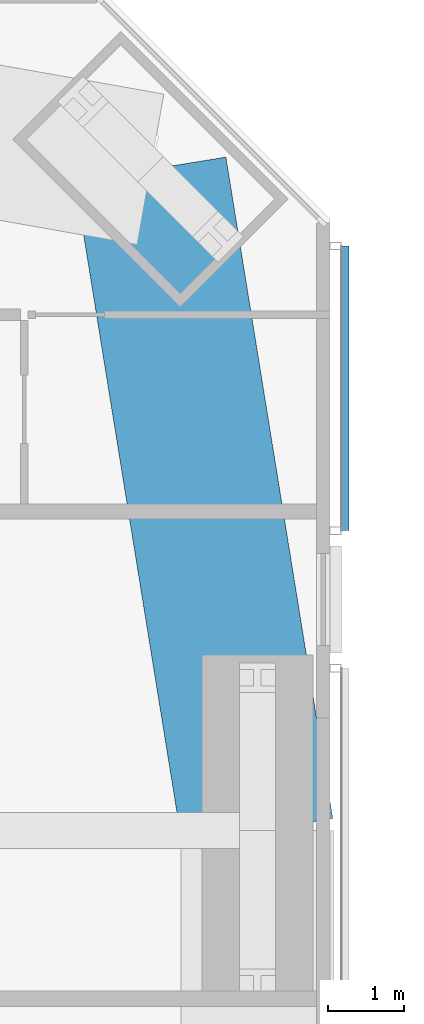
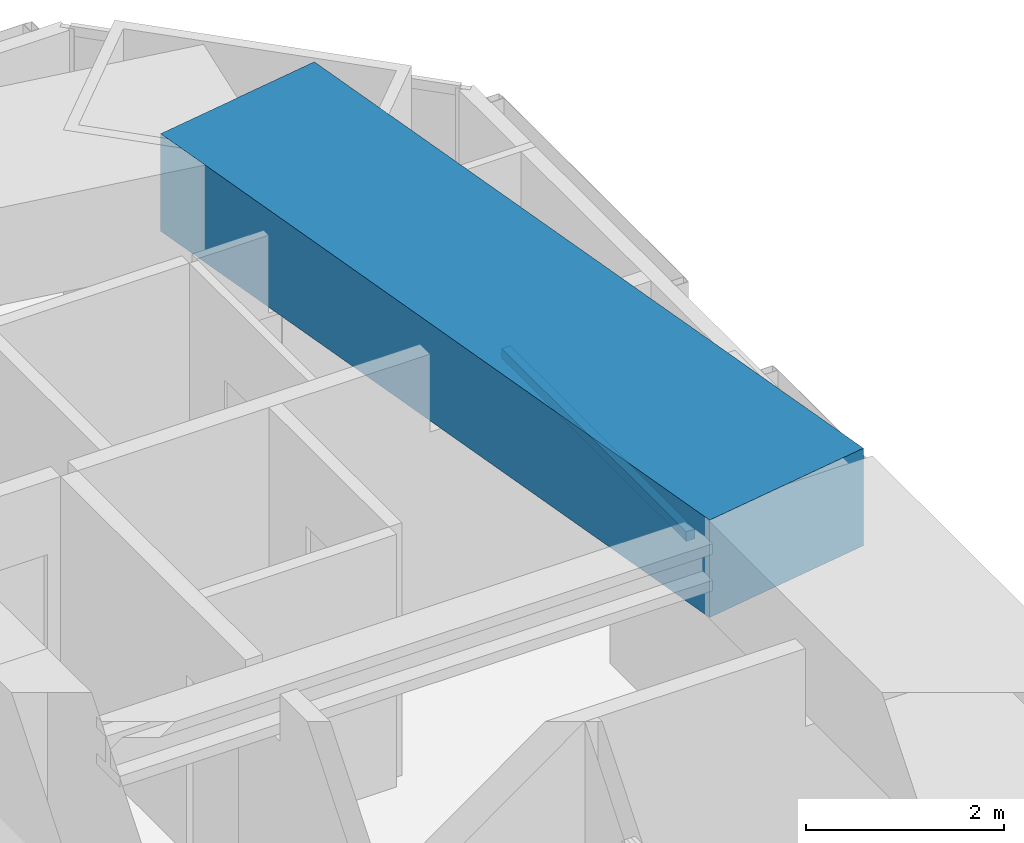
# One storey, part 9 of 22: 1 beam, 1 member, 1 element without a shape of its own.
"""IFC4 building model written with IfcOpenShell, lengths in metres."""

from ifc_helpers import new_model, si_unit, direction, frame, origin, origin_2d, place, context, subcontext, project, spatial, rectangle, extrude, material, material_profile, profile_set, type_object, element, aggregate, save


model = new_model("IFC4")

# Units and contexts
model_context = context("Model", 3, precision=1e-05, world=origin(), true_north=direction((0.0, 1.0)))
body_context = subcontext(model_context, "Body", "Model", "MODEL_VIEW")
ifc_project = project(units=[si_unit("LENGTHUNIT", "METRE"), si_unit("AREAUNIT", "SQUARE_METRE"), si_unit("VOLUMEUNIT", "CUBIC_METRE"), si_unit("PLANEANGLEUNIT", "RADIAN"), si_unit("MASSUNIT", "GRAM", prefix="KILO")], contexts=[model_context])

# Site, building, storey
site_placement = place(None, origin())
site = spatial("IfcSite", under=ifc_project, at=site_placement, CompositionType="ELEMENT")
building_placement = place(site_placement, origin())
building = spatial("IfcBuilding", under=site, at=building_placement, Name="Jalousie Tower", CompositionType="ELEMENT")
storey_placement = place(building_placement, frame((0.0, 0.0, 154.35009765625)))
storey = spatial("IfcBuildingStorey", under=building, at=storey_placement, Name="L41", CompositionType="ELEMENT", Elevation=154.35009765625)

# Beam
ifc_material_1 = material(Name="Concrete f'c 40 MPa", Category="concrete")
ifc_material_profile_1 = material_profile(ifc_material_1, rectangle(XDim=2.0, YDim=1.199951171875, at=origin_2d()), Name="RC 2000x1200")
ifc_profile_set_1 = profile_set([ifc_material_profile_1], Name="Concrete f'c 40 MPa")
beam_type = type_object("IfcBeamType", Name="RC BEAM 2000x1200", PredefinedType="BEAM", material=ifc_profile_set_1)
beam_placement = place(storey_placement, frame((52.050048828125, 25.0, 2.75), z_axis=(-0.159567878256, 0.987186959106, 0.0), x_axis=(-0.987186959106, -0.159567878256, 0.0)))
element("IfcBeam", 1, at=beam_placement, inside=storey, type_object=beam_type, Name="Edge band beam 07-08 under L42", PredefinedType="BEAM", context=body_context, shape_type="SweptSolid", body=[
    extrude(rectangle(XDim=2.0, YDim=1.199951171875, at=origin_2d()), origin(), (0.0, 0.0, 1.0), 8.763916015625),
])

# Curtain wall, member
ifc_material_2 = material(Name="Perforated aluminium sheet", Category="aluminium")
curtain_wall_type = type_object("IfcCurtainWallType", Name="SOLAR SCREEN SS-1", PredefinedType="USERDEFINED", material=ifc_material_2)
curtain_wall_placement = place(storey_placement, origin())
curtain_wall = element("IfcCurtainWall", 2, at=curtain_wall_placement, inside=storey, type_object=curtain_wall_type, Name="Solar screen L41", ObjectType="SOLAR SCREEN SS-1", PredefinedType="USERDEFINED")
ifc_material_3 = material(Name="Extruded aluminium screen rail", Category="aluminium")
ifc_material_profile_2 = material_profile(ifc_material_3, rectangle(XDim=0.1015625, YDim=0.1201171875, at=origin_2d()), Name="RAIL 102x120")
ifc_profile_set_2 = profile_set([ifc_material_profile_2], Name="Extruded aluminium screen rail")
member_type = type_object("IfcMemberType", Name="SOLAR SCREEN SS-1 TRANSOM", PredefinedType="USERDEFINED", material=ifc_profile_set_2)
member_placement = place(storey_placement, frame((53.1982421875, 28.924560546875, -0.06005859375), z_axis=(0.0, 1.0, 0.0), x_axis=(-1.0, 0.0, 0.0)))
member = element("IfcMember", 3, at=member_placement, type_object=member_type, Name="SS1 rail", ObjectType="TRANSOM", PredefinedType="USERDEFINED", context=body_context, shape_type="SweptSolid", body=[
    extrude(rectangle(XDim=0.1015625, YDim=0.1201171875, at=origin_2d()), origin(), (0.0, 0.0, 1.0), 3.72412109375),
])
aggregate(curtain_wall, [member])

save(model, "model.ifc")
